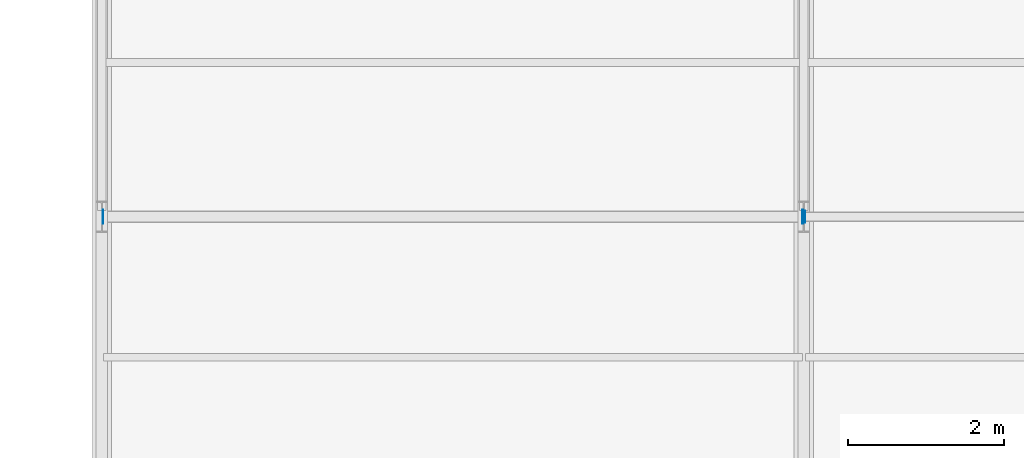
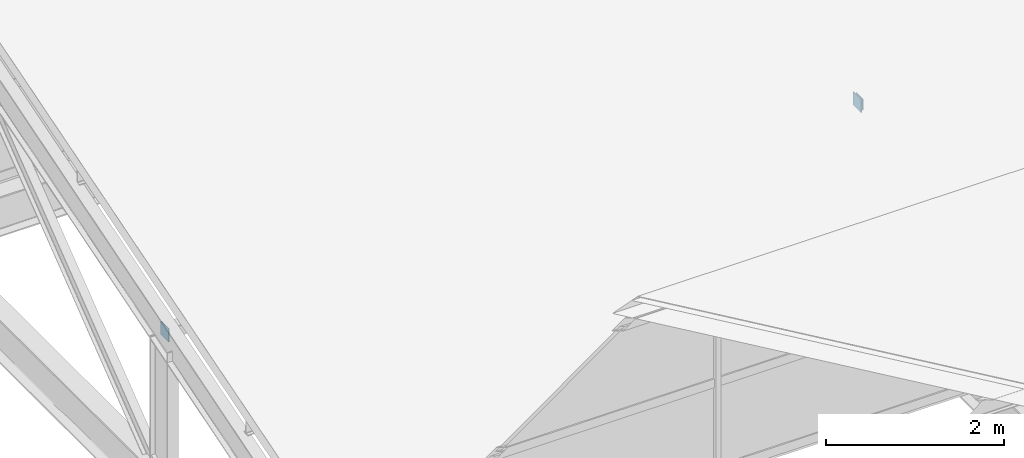
# One storey, part 126 of 163: 3 plates.
"""IFC4 building model written with IfcOpenShell, lengths in metres."""

from ifc_helpers import new_model, si_unit, direction, frame, origin, origin_2d, place, context, subcontext, project, spatial, rectangle, extrude, material, layer, layer_set, type_object, element, save


model = new_model("IFC4")

# Units and contexts
model_context = context("Model", 3, precision=1e-05, world=origin(), true_north=direction((0.0, 1.0)))
body_context = subcontext(model_context, "Body", "Model", "MODEL_VIEW")
ifc_project = project(units=[si_unit("LENGTHUNIT", "METRE"), si_unit("AREAUNIT", "SQUARE_METRE"), si_unit("VOLUMEUNIT", "CUBIC_METRE"), si_unit("PLANEANGLEUNIT", "RADIAN"), si_unit("MASSUNIT", "GRAM", prefix="KILO")], contexts=[model_context])

# Site, building, storey
site_placement = place(None, origin())
site = spatial("IfcSite", under=ifc_project, at=site_placement, CompositionType="ELEMENT")
building_placement = place(site_placement, origin())
building = spatial("IfcBuilding", under=site, at=building_placement, Name="Tharagai Park Tramway Depot", CompositionType="ELEMENT")
storey_placement = place(building_placement, frame((0.0, 0.0, 8.39990234375)))
storey = spatial("IfcBuildingStorey", under=building, at=storey_placement, Name="L02", CompositionType="ELEMENT", Elevation=8.39990234375)

# Plates
ifc_material = material(Name="Steel E350", Category="steel")
ifc_layer = layer(ifc_material, 0.011962890625)
ifc_layer_set = layer_set([ifc_layer], Name="Steel E350")
plate_type = type_object("IfcPlateType", Name="GP-04", PredefinedType="SHEET", material=ifc_layer_set)
for number, where, z_axis, x_axis, name in (
    (1, (0.013916015625, 112.5, 1.8564453125), (0.0, 0.0, 1.0), (1.0, 0.0, 0.0), "Tube End Cap Plate GP-04"),
    (2, (8.986083984375, 112.5, 1.8564453125), (0.0, 0.0, 1.0), (1.0, 0.0, 0.0), "Tube End Cap Plate GP-04"),
):
    element("IfcPlate", number, at=place(storey_placement, frame(where, z_axis=z_axis, x_axis=x_axis)), inside=storey, type_object=plate_type, Name=name, PredefinedType="SHEET", context=body_context, shape_type="SweptSolid", body=[
        extrude(rectangle(XDim=0.011962890625, YDim=0.179931640625, at=origin_2d()), origin(), (0.0, 0.0, 1.0), 0.179931640625),
    ])
plate_placement = place(storey_placement, frame((9.013916015625, 112.5, 1.87158203125), z_axis=(0.0, 0.0, 1.0), x_axis=(1.0, 0.0, 0.0)))
element("IfcPlate", 3, at=plate_placement, inside=storey, type_object=plate_type, Name="Tube End Cap Plate GP-04", PredefinedType="SHEET", context=body_context, shape_type="SweptSolid", body=[
    extrude(rectangle(XDim=0.011962890625, YDim=0.14990234375, at=origin_2d()), origin(), (0.0, 0.0, 1.0), 0.14990234375),
])

save(model, "model.ifc")
